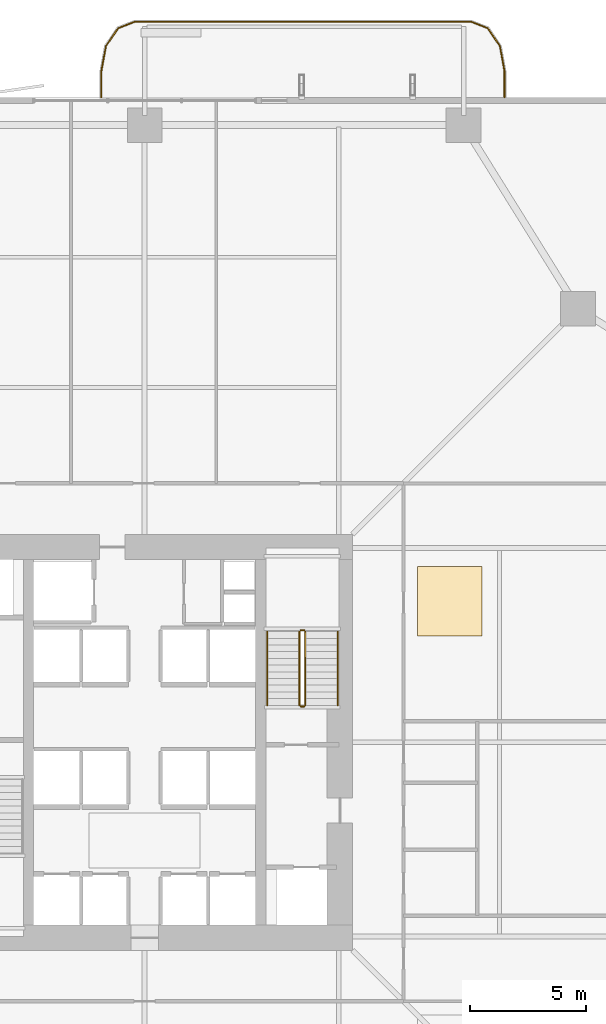
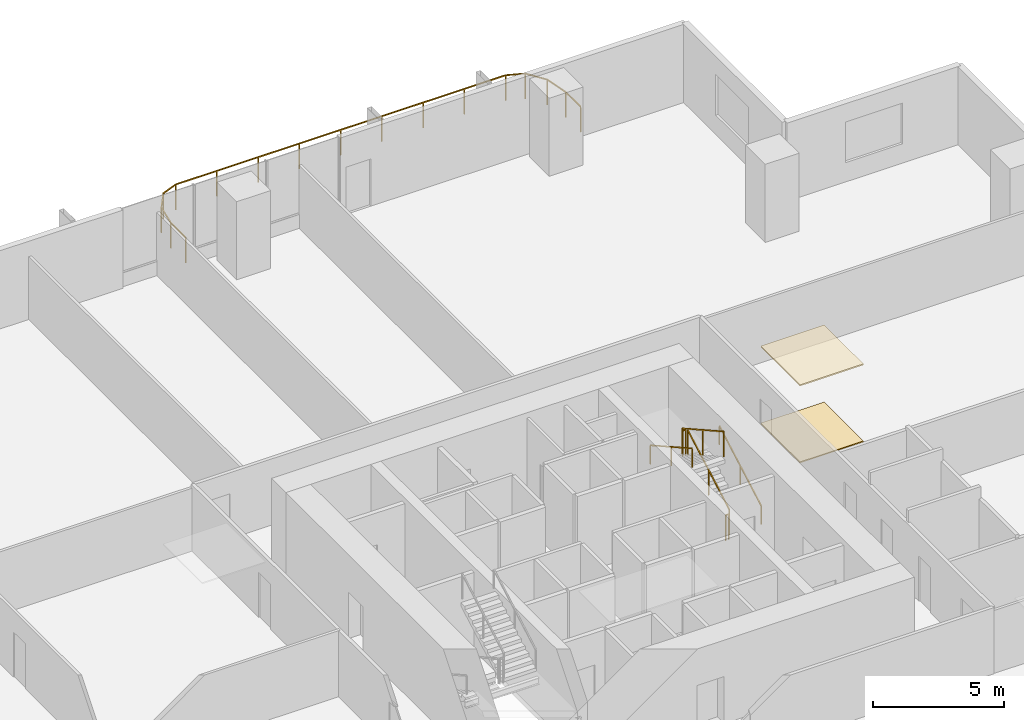
# One storey, part 23 of 23: 7 railings, 2 coverings.
"""IFC4 building model written with IfcOpenShell, lengths in metres."""

from ifc_helpers import new_model, si_unit, direction, frame, origin, origin_2d, place, context, subcontext, project, spatial, polyline, rectangle, outline, extrude, material, layer, layer_set, type_object, element, save


model = new_model("IFC4")

# Units and contexts
model_context = context("Model", 3, precision=1e-05, world=origin(), true_north=direction((0.0, 1.0)))
body_context = subcontext(model_context, "Body", "Model", "MODEL_VIEW")
ifc_project = project(units=[si_unit("LENGTHUNIT", "METRE"), si_unit("AREAUNIT", "SQUARE_METRE"), si_unit("VOLUMEUNIT", "CUBIC_METRE"), si_unit("PLANEANGLEUNIT", "RADIAN"), si_unit("MASSUNIT", "GRAM", prefix="KILO")], contexts=[model_context])

# Site, building, storey
site_placement = place(None, origin())
site = spatial("IfcSite", under=ifc_project, at=site_placement, CompositionType="ELEMENT")
building_placement = place(site_placement, origin())
building = spatial("IfcBuilding", under=site, at=building_placement, Name="Belovzor Exchange Tower", CompositionType="ELEMENT")
storey_placement = place(building_placement, frame((0.0, 0.0, 100.199951171875)))
storey = spatial("IfcBuildingStorey", under=building, at=storey_placement, Name="L24", CompositionType="ELEMENT", Elevation=100.199951171875)

# Railings
ifc_material_1 = material(Name="Stainless Steel Grade 304", Category="steel")
railing_type_1 = type_object("IfcRailingType", Name="Brushed Stainless Steel Stair Handrail 900", PredefinedType="HANDRAIL", material=ifc_material_1)
railing_1_placement = place(storey_placement, frame((37.14990234375, 30.39990234375, 0.16259765625)))
element("IfcRailing", 1, at=railing_1_placement, inside=storey, type_object=railing_type_1, Name="L24 ST-2 stair handrail 1", PredefinedType="HANDRAIL", context=body_context, shape_type="SweptSolid", body=[
    extrude(rectangle(XDim=0.048095703125, YDim=0.048095703125, at=origin_2d()), frame((0.0, 0.0, 0.8759765625), z_axis=(0.0, 0.872406949647, 0.488780230991), x_axis=(-1.0, 0.0, 0.0)), (0.0, 0.0, 1.0), 3.65673828125),
    extrude(rectangle(XDim=0.0419921875, YDim=0.0419921875, at=origin_2d()), origin(), (0.0, 0.0, 1.0), 0.851806640625),
    extrude(rectangle(XDim=0.0419921875, YDim=0.0419921875, at=origin_2d()), frame((0.0, 1.59521484375, 0.8935546875)), (0.0, 0.0, 1.0), 0.851806640625),
    extrude(rectangle(XDim=0.0419921875, YDim=0.0419921875, at=origin_2d()), frame((0.0, 3.190185546875, 1.787353515625)), (0.0, 0.0, 1.0), 0.851806640625),
])
railing_2_placement = place(storey_placement, frame((34.10009765625, 33.590087890625, 2.112548828125)))
element("IfcRailing", 2, at=railing_2_placement, inside=storey, type_object=railing_type_1, Name="L24 ST-2 stair handrail 2", PredefinedType="HANDRAIL", context=body_context, shape_type="SweptSolid", body=[
    extrude(rectangle(XDim=0.048095703125, YDim=0.048095703125, at=origin_2d()), frame((0.0, 0.0, 0.8759765625), z_axis=(0.0, -0.87237847985, 0.488831042279), x_axis=(1.0, 0.0, 0.0)), (0.0, 0.0, 1.0), 3.656982421875),
    extrude(rectangle(XDim=0.0419921875, YDim=0.0419921875, at=origin_2d()), origin(), (0.0, 0.0, 1.0), 0.851806640625),
    extrude(rectangle(XDim=0.0419921875, YDim=0.0419921875, at=origin_2d()), frame((0.0, -1.59521484375, 0.893798828125)), (0.0, 0.0, 1.0), 0.851806640625),
    extrude(rectangle(XDim=0.0419921875, YDim=0.0419921875, at=origin_2d()), frame((0.0, -3.190185546875, 1.78759765625)), (0.0, 0.0, 1.0), 0.851806640625),
])
ifc_material_2 = material(Name="Stainless Steel and Laminated Safety Glass", Category="steel")
railing_type_2 = type_object("IfcRailingType", Name="Laminated Glass & Stainless Steel Balcony Balustrade 1200", PredefinedType="BALUSTRADE", material=ifc_material_2)
railing_3_placement = place(storey_placement, frame((44.3701171875, 56.7099609375, 0.0)))
element("IfcRailing", 3, at=railing_3_placement, inside=storey, type_object=railing_type_2, Name="GR-1 Balcony Balustrade L24 North", PredefinedType="BALUSTRADE", context=body_context, shape_type="SweptSolid", body=[
    extrude(rectangle(XDim=0.048095703125, YDim=0.048095703125, at=origin_2d()), frame((0.0, 0.0, 1.17578125), z_axis=(0.0, 1.0, 0.0), x_axis=(-1.0, 0.0, 0.0)), (0.0, 0.0, 1.0), 1.133056640625),
    extrude(rectangle(XDim=0.048095703125, YDim=0.048095703125, at=origin_2d()), frame((0.0, 1.133056640625, 1.17578125), z_axis=(-0.180122719713, 0.983644145941, 0.0), x_axis=(-0.983644145941, -0.180122719713, 0.0)), (0.0, 0.0, 1.0), 1.09375),
    extrude(rectangle(XDim=0.048095703125, YDim=0.048095703125, at=origin_2d()), frame((-0.197021484375, 2.208984375, 1.17578125), z_axis=(-0.56294695933, 0.826493025367, 0.0), x_axis=(-0.826493025367, -0.56294695933, 0.0)), (0.0, 0.0, 1.0), 0.932861328125),
    extrude(rectangle(XDim=0.048095703125, YDim=0.048095703125, at=origin_2d()), frame((-0.72216796875, 2.97998046875, 1.17578125), z_axis=(-0.930766990125, 0.365612923861, 0.0), x_axis=(-0.365612923861, -0.930766990125, 0.0)), (0.0, 0.0, 1.0), 0.765869140625),
    extrude(rectangle(XDim=0.048095703125, YDim=0.048095703125, at=origin_2d()), frame((-1.43505859375, 3.260009765625, 1.17578125), z_axis=(-1.0, 0.0, 0.0), x_axis=(0.0, -1.0, 0.0)), (0.0, 0.0, 1.0), 14.570068359375),
    extrude(rectangle(XDim=0.048095703125, YDim=0.048095703125, at=origin_2d()), frame((-16.005126953125, 3.260009765625, 1.17578125), z_axis=(-0.930766990125, -0.365612923861, 0.0), x_axis=(0.365612923861, -0.930766990125, 0.0)), (0.0, 0.0, 1.0), 0.765869140625),
    extrude(rectangle(XDim=0.048095703125, YDim=0.048095703125, at=origin_2d()), frame((-16.718017578125, 2.97998046875, 1.17578125), z_axis=(-0.56294695933, -0.826493025367, 0.0), x_axis=(0.826493025367, -0.56294695933, 0.0)), (0.0, 0.0, 1.0), 0.932861328125),
    extrude(rectangle(XDim=0.048095703125, YDim=0.048095703125, at=origin_2d()), frame((-17.2431640625, 2.208984375, 1.17578125), z_axis=(-0.180122719713, -0.983644145941, 0.0), x_axis=(0.983644145941, -0.180122719713, 0.0)), (0.0, 0.0, 1.0), 1.09375),
    extrude(rectangle(XDim=0.048095703125, YDim=0.048095703125, at=origin_2d()), frame((-17.440185546875, 1.133056640625, 1.17578125), z_axis=(0.0, -1.0, 0.0), x_axis=(1.0, 0.0, 0.0)), (0.0, 0.0, 1.0), 1.133056640625),
    extrude(rectangle(XDim=0.0419921875, YDim=0.0419921875, at=origin_2d()), origin(), (0.0, 0.0, 1.0), 1.15185546875),
    extrude(rectangle(XDim=0.0419921875, YDim=0.0419921875, at=origin_2d()), frame((0.0, 1.133056640625, 0.0)), (0.0, 0.0, 1.0), 1.15185546875),
    extrude(rectangle(XDim=0.0419921875, YDim=0.0419921875, at=origin_2d()), frame((-0.197021484375, 2.208984375, 0.0)), (0.0, 0.0, 1.0), 1.15185546875),
    extrude(rectangle(XDim=0.0419921875, YDim=0.0419921875, at=origin_2d()), frame((-0.72216796875, 2.97998046875, 0.0)), (0.0, 0.0, 1.0), 1.15185546875),
    extrude(rectangle(XDim=0.0419921875, YDim=0.0419921875, at=origin_2d()), frame((-1.43505859375, 3.260009765625, 0.0)), (0.0, 0.0, 1.0), 1.15185546875),
    extrude(rectangle(XDim=0.0419921875, YDim=0.0419921875, at=origin_2d()), frame((-3.25634765625, 3.260009765625, 0.0)), (0.0, 0.0, 1.0), 1.15185546875),
    extrude(rectangle(XDim=0.0419921875, YDim=0.0419921875, at=origin_2d()), frame((-5.07763671875, 3.260009765625, 0.0)), (0.0, 0.0, 1.0), 1.15185546875),
    extrude(rectangle(XDim=0.0419921875, YDim=0.0419921875, at=origin_2d()), frame((-6.89892578125, 3.260009765625, 0.0)), (0.0, 0.0, 1.0), 1.15185546875),
    extrude(rectangle(XDim=0.0419921875, YDim=0.0419921875, at=origin_2d()), frame((-8.72021484375, 3.260009765625, 0.0)), (0.0, 0.0, 1.0), 1.15185546875),
    extrude(rectangle(XDim=0.0419921875, YDim=0.0419921875, at=origin_2d()), frame((-10.541259765625, 3.260009765625, 0.0)), (0.0, 0.0, 1.0), 1.15185546875),
    extrude(rectangle(XDim=0.0419921875, YDim=0.0419921875, at=origin_2d()), frame((-12.362548828125, 3.260009765625, 0.0)), (0.0, 0.0, 1.0), 1.15185546875),
    extrude(rectangle(XDim=0.0419921875, YDim=0.0419921875, at=origin_2d()), frame((-14.183837890625, 3.260009765625, 0.0)), (0.0, 0.0, 1.0), 1.15185546875),
    extrude(rectangle(XDim=0.0419921875, YDim=0.0419921875, at=origin_2d()), frame((-16.005126953125, 3.260009765625, 0.0)), (0.0, 0.0, 1.0), 1.15185546875),
    extrude(rectangle(XDim=0.0419921875, YDim=0.0419921875, at=origin_2d()), frame((-16.718017578125, 2.97998046875, 0.0)), (0.0, 0.0, 1.0), 1.15185546875),
    extrude(rectangle(XDim=0.0419921875, YDim=0.0419921875, at=origin_2d()), frame((-17.2431640625, 2.208984375, 0.0)), (0.0, 0.0, 1.0), 1.15185546875),
    extrude(rectangle(XDim=0.0419921875, YDim=0.0419921875, at=origin_2d()), frame((-17.440185546875, 1.133056640625, 0.0)), (0.0, 0.0, 1.0), 1.15185546875),
    extrude(rectangle(XDim=0.0419921875, YDim=0.0419921875, at=origin_2d()), frame((-17.440185546875, 0.0, 0.0)), (0.0, 0.0, 1.0), 1.15185546875),
])
ifc_material_3 = material(Name="Steel S355", Category="steel")
railing_type_3 = type_object("IfcRailingType", Name="Painted Steel Stairwell Guardrail 1200", PredefinedType="GUARDRAIL", material=ifc_material_3)
railing_4_placement = place(storey_placement, frame((35.75, 30.39990234375, 0.16259765625)))
element("IfcRailing", 4, at=railing_4_placement, inside=storey, type_object=railing_type_3, Name="L24 ST-2 stair guard 1", PredefinedType="GUARDRAIL", context=body_context, shape_type="SweptSolid", body=[
    extrude(rectangle(XDim=0.048095703125, YDim=0.048095703125, at=origin_2d()), frame((0.0, 0.0, 1.17578125), z_axis=(0.0, 0.872406949647, 0.488780230991), x_axis=(-1.0, 0.0, 0.0)), (0.0, 0.0, 1.0), 3.65673828125),
    extrude(rectangle(XDim=0.0419921875, YDim=0.0419921875, at=origin_2d()), origin(), (0.0, 0.0, 1.0), 1.15185546875),
    extrude(rectangle(XDim=0.0419921875, YDim=0.0419921875, at=origin_2d()), frame((0.0, 1.59521484375, 0.8935546875)), (0.0, 0.0, 1.0), 1.15185546875),
    extrude(rectangle(XDim=0.0419921875, YDim=0.0419921875, at=origin_2d()), frame((0.0, 3.190185546875, 1.787353515625)), (0.0, 0.0, 1.0), 1.15185546875),
])
railing_5_placement = place(storey_placement, frame((35.699951171875, 33.639892578125, 1.949951171875)))
element("IfcRailing", 5, at=railing_5_placement, inside=storey, type_object=railing_type_3, Name="L24 ST-2 stair guard 2", PredefinedType="GUARDRAIL", context=body_context, shape_type="SweptSolid", body=[
    extrude(rectangle(XDim=0.048095703125, YDim=0.048095703125, at=origin_2d()), frame((0.0, 0.0, 1.17578125), z_axis=(-1.0, 0.0, 0.0), x_axis=(0.0, -1.0, 0.0)), (0.0, 0.0, 1.0), 0.14990234375),
    extrude(rectangle(XDim=0.0419921875, YDim=0.0419921875, at=origin_2d()), origin(), (0.0, 0.0, 1.0), 1.15185546875),
    extrude(rectangle(XDim=0.0419921875, YDim=0.0419921875, at=origin_2d()), frame((-0.14990234375, 0.0, 0.0)), (0.0, 0.0, 1.0), 1.15185546875),
])
railing_6_placement = place(storey_placement, frame((35.5, 33.590087890625, 2.112548828125)))
element("IfcRailing", 6, at=railing_6_placement, inside=storey, type_object=railing_type_3, Name="L24 ST-2 stair guard 3", PredefinedType="GUARDRAIL", context=body_context, shape_type="SweptSolid", body=[
    extrude(rectangle(XDim=0.048095703125, YDim=0.048095703125, at=origin_2d()), frame((0.0, 0.0, 1.17578125), z_axis=(0.0, -0.87237847985, 0.488831042279), x_axis=(1.0, 0.0, 0.0)), (0.0, 0.0, 1.0), 3.656982421875),
    extrude(rectangle(XDim=0.0419921875, YDim=0.0419921875, at=origin_2d()), origin(), (0.0, 0.0, 1.0), 1.15185546875),
    extrude(rectangle(XDim=0.0419921875, YDim=0.0419921875, at=origin_2d()), frame((0.0, -1.59521484375, 0.893798828125)), (0.0, 0.0, 1.0), 1.15185546875),
    extrude(rectangle(XDim=0.0419921875, YDim=0.0419921875, at=origin_2d()), frame((0.0, -3.190185546875, 1.78759765625)), (0.0, 0.0, 1.0), 1.15185546875),
])
railing_7_placement = place(storey_placement, frame((35.699951171875, 30.35009765625, 0.0)))
element("IfcRailing", 7, at=railing_7_placement, inside=storey, type_object=railing_type_3, Name="L24 ST-2 stair guard 4", PredefinedType="GUARDRAIL", context=body_context, shape_type="SweptSolid", body=[
    extrude(rectangle(XDim=0.048095703125, YDim=0.048095703125, at=origin_2d()), frame((0.0, 0.0, 1.17578125), z_axis=(-1.0, 0.0, 0.0), x_axis=(0.0, -1.0, 0.0)), (0.0, 0.0, 1.0), 0.14990234375),
    extrude(rectangle(XDim=0.0419921875, YDim=0.0419921875, at=origin_2d()), origin(), (0.0, 0.0, 1.0), 1.15185546875),
    extrude(rectangle(XDim=0.0419921875, YDim=0.0419921875, at=origin_2d()), frame((-0.14990234375, 0.0, 0.0)), (0.0, 0.0, 1.0), 1.15185546875),
])

# Coverings
ifc_material_4 = material(Name="Perforated Powder-Coated Aluminium", Category="aluminium")
ifc_layer_1 = layer(ifc_material_4, 0.06005859375)
ifc_layer_set_1 = layer_set([ifc_layer_1], Name="Perforated Powder-Coated Aluminium")
covering_type_1 = type_object("IfcCoveringType", Name="Perforated Acoustic Metal Tile Suspended Ceiling 60", PredefinedType="CEILING", material=ifc_layer_set_1)
covering_1_placement = place(storey_placement, frame((0.0, 0.0, 3.590087890625)))
element("IfcCovering", 8, at=covering_1_placement, inside=storey, type_object=covering_type_1, Name="CLG-AC60 Suspended Ceiling CLG-L24-Z2", PredefinedType="CEILING", context=body_context, shape_type="SweptSolid", body=[
    extrude(outline(polyline([(40.60009765625, 33.39990234375), (43.39990234375, 33.39990234375), (43.39990234375, 36.39990234375), (40.60009765625, 36.39990234375), (40.60009765625, 33.39990234375)])), origin(), (0.0, 0.0, 1.0), 0.06005859375),
])
ifc_material_5 = material(Name="Polished Natural Granite Tile", Category="masonry")
ifc_layer_2 = layer(ifc_material_5, 0.050048828125)
ifc_layer_set_2 = layer_set([ifc_layer_2], Name="Polished Natural Granite Tile")
covering_type_2 = type_object("IfcCoveringType", Name="Polished Karelian Granite & Raised Access Floor Finish 50", PredefinedType="FLOORING", material=ifc_layer_set_2)
covering_2_placement = place(storey_placement, origin())
element("IfcCovering", 9, at=covering_2_placement, inside=storey, type_object=covering_type_2, Name="FLR-GR50 Floor Finish FLR-L24-Z2", PredefinedType="FLOORING", context=body_context, shape_type="SweptSolid", body=[
    extrude(outline(polyline([(40.60009765625, 33.39990234375), (43.39990234375, 33.39990234375), (43.39990234375, 36.39990234375), (40.60009765625, 36.39990234375), (40.60009765625, 33.39990234375)])), origin(), (0.0, 0.0, 1.0), 0.050048828125),
])

save(model, "model.ifc")
